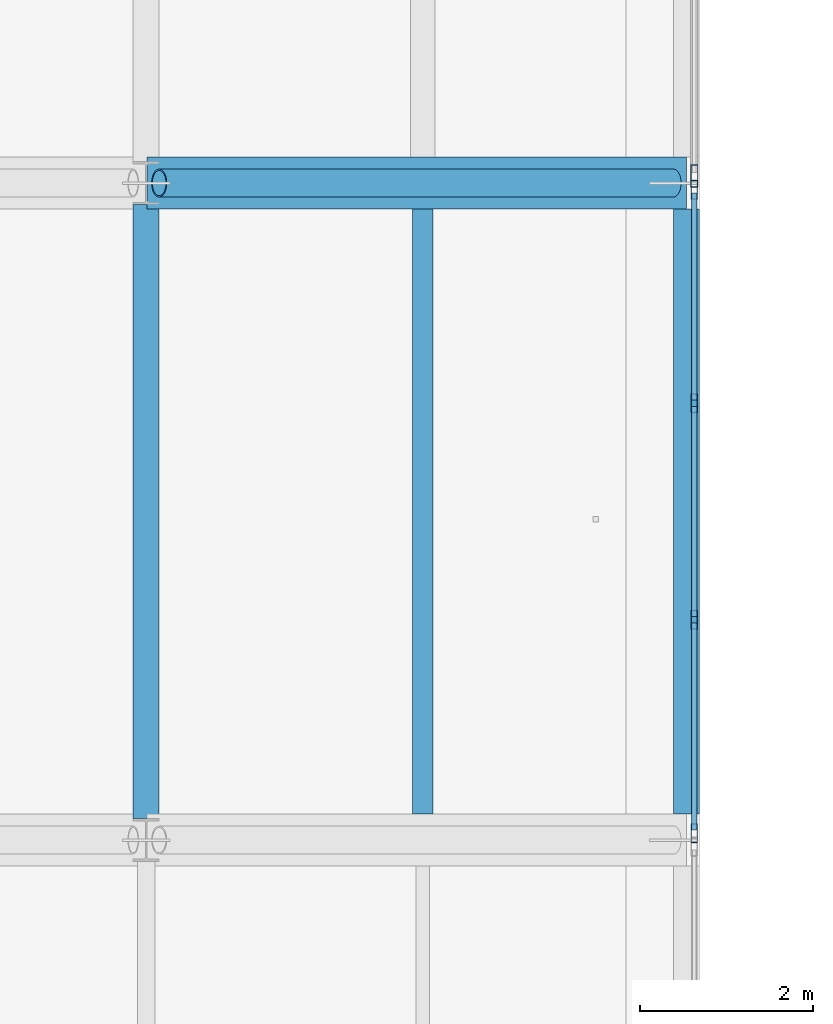
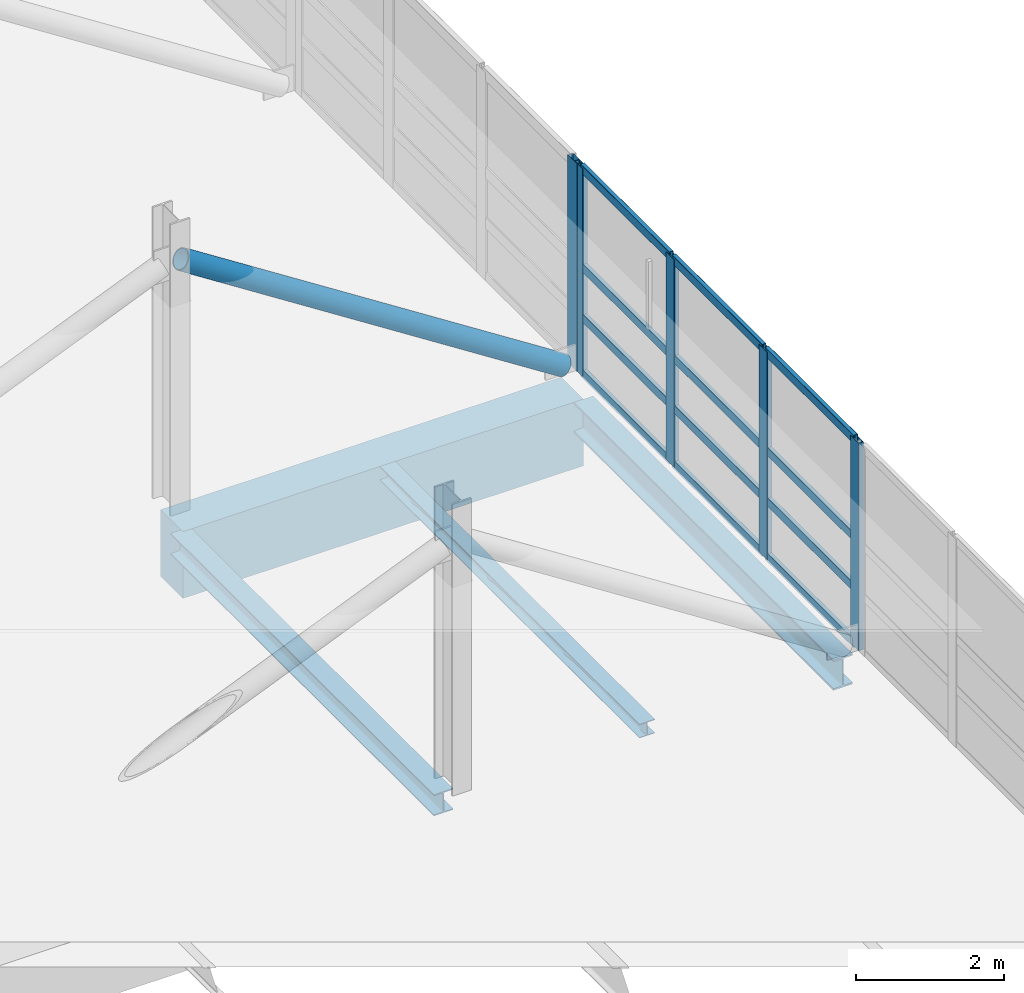
# One storey, part 15 of 107: 18 members, 4 beams, 2 elements without a shape of their own.
"""IFC4 building model written with IfcOpenShell, lengths in metres."""

from ifc_helpers import new_model, si_unit, direction, frame, origin, origin_2d, place, context, subcontext, project, spatial, rectangle, hollow_rectangle, hollow_circle, i_section, extrude, material, material_profile, profile_set, type_object, element, aggregate, save


model = new_model("IFC4")

# Units and contexts
model_context = context("Model", 3, precision=1e-05, world=origin(), true_north=direction((0.0, 1.0)))
body_context = subcontext(model_context, "Body", "Model", "MODEL_VIEW")
ifc_project = project(units=[si_unit("LENGTHUNIT", "METRE"), si_unit("AREAUNIT", "SQUARE_METRE"), si_unit("VOLUMEUNIT", "CUBIC_METRE"), si_unit("PLANEANGLEUNIT", "RADIAN"), si_unit("MASSUNIT", "GRAM", prefix="KILO")], contexts=[model_context])

# Site, building, storey
site_placement = place(None, origin())
site = spatial("IfcSite", under=ifc_project, at=site_placement, CompositionType="ELEMENT")
building_placement = place(site_placement, origin())
building = spatial("IfcBuilding", under=site, at=building_placement, Name="Khelvaren Railside Concert Hall", CompositionType="ELEMENT")
storey_placement = place(building_placement, frame((0.0, 0.0, 15.0)))
storey = spatial("IfcBuildingStorey", under=building, at=storey_placement, Name="L03", CompositionType="ELEMENT", Elevation=15.0)

# Beam
ifc_material_1 = material(Name="Steel S355", Category="steel")
ifc_material_profile_1 = material_profile(ifc_material_1, i_section(OverallWidth=0.300048828125, OverallDepth=0.35009765625, WebThickness=0.010009765625, FlangeThickness=0.017578125, FilletRadius=0.027099609375, at=origin_2d()), Name="HEA 360")
ifc_profile_set_1 = profile_set([ifc_material_profile_1], Name="Steel S355")
beam_type_1 = type_object("IfcBeamType", Name="BM73", PredefinedType="BEAM", material=ifc_profile_set_1)
beam_1_placement = place(storey_placement, frame((49.60009765625, 23.050048828125, -0.455078125), z_axis=(0.0, 1.0, 0.0), x_axis=(-1.0, 0.0, 0.0)))
element("IfcBeam", 1, at=beam_1_placement, inside=storey, type_object=beam_type_1, Name="V1 L03 Beam Y7.4", PredefinedType="BEAM", context=body_context, shape_type="SweptSolid", body=[
    extrude(i_section(OverallWidth=0.300048828125, OverallDepth=0.35009765625, WebThickness=0.010009765625, FlangeThickness=0.017578125, FilletRadius=0.027099609375, at=origin_2d()), origin(), (0.0, 0.0, 1.0), 7.099853515625),
])

# Member
ifc_material_profile_2 = material_profile(ifc_material_1, hollow_circle(Radius=0.161865234375, WallThickness=0.01611328125, at=origin_2d()), Name="CHS 323.9x16")
ifc_profile_set_2 = profile_set([ifc_material_profile_2], Name="Steel S355")
member_type_1 = type_object("IfcMemberType", Name="BR78", PredefinedType="BRACE", material=ifc_profile_set_2)
member_1_placement = place(storey_placement, frame((49.75, 30.39990234375, 3.97998046875), z_axis=(0.840849865516, 0.0, -0.541268421083), x_axis=(0.0, 1.0, 0.0)))
element("IfcMember", 2, at=member_1_placement, inside=storey, type_object=member_type_1, Name="V1 L03 Plaza Cantilever Truss Diagonal 5A", PredefinedType="BRACE", context=body_context, shape_type="SweptSolid", body=[
    extrude(hollow_circle(Radius=0.161865234375, WallThickness=0.01611328125, at=origin_2d()), origin(), (0.0, 0.0, 1.0), 7.076171875),
])

# Curtain wall, members
ifc_material_2 = material(Name="Double-glazed clear foyer glass", Category="glass")
curtain_wall_type_1 = type_object("IfcCurtainWallType", Name="CW70", PredefinedType="USERDEFINED", material=ifc_material_2)
curtain_wall_1_placement = place(storey_placement, origin())
curtain_wall_1 = element("IfcCurtainWall", 3, at=curtain_wall_1_placement, inside=storey, type_object=curtain_wall_type_1, Name="Unitised Curtain Wall CW-V1-L03-E-23", ObjectType="UNITISED CURTAIN WALL", PredefinedType="USERDEFINED")
ifc_material_3 = material(Name="Anodised architectural aluminium 6063-T6", Category="aluminium")
ifc_material_profile_3 = material_profile(ifc_material_3, hollow_rectangle(XDim=0.074951171875, YDim=0.219970703125, WallThickness=0.0048828125, InnerFilletRadius=0.0029296875, OuterFilletRadius=0.0048828125, at=origin_2d()), Name="CWM 75x220x5")
ifc_profile_set_3 = profile_set([ifc_material_profile_3], Name="Anodised architectural aluminium 6063-T6")
member_type_2 = type_object("IfcMemberType", Name="CWM13", PredefinedType="MULLION", material=ifc_profile_set_3)
member_2_placement = place(storey_placement, frame((55.93994140625, 30.322509765625, 0.0), z_axis=(0.0, 0.0, 1.0), x_axis=(1.0, 0.0, 0.0)))
member_2 = element("IfcMember", 4, at=member_2_placement, type_object=member_type_2, Name="CW70 mullion 1", PredefinedType="MULLION", context=body_context, shape_type="SweptSolid", body=[
    extrude(hollow_rectangle(XDim=0.074951171875, YDim=0.219970703125, WallThickness=0.0048828125, InnerFilletRadius=0.0029296875, OuterFilletRadius=0.0048828125, at=origin_2d()), origin(), (0.0, 0.0, 1.0), 3.419921875),
])
member_3_placement = place(storey_placement, frame((55.93994140625, 27.853271484375, 0.0), z_axis=(0.0, 0.0, 1.0), x_axis=(1.0, 0.0, 0.0)))
member_3 = element("IfcMember", 5, at=member_3_placement, type_object=member_type_2, Name="CW70 mullion 2", PredefinedType="MULLION", context=body_context, shape_type="SweptSolid", body=[
    extrude(hollow_rectangle(XDim=0.074951171875, YDim=0.219970703125, WallThickness=0.0048828125, InnerFilletRadius=0.0029296875, OuterFilletRadius=0.0048828125, at=origin_2d()), origin(), (0.0, 0.0, 1.0), 3.419921875),
])
member_4_placement = place(storey_placement, frame((55.93994140625, 25.3466796875, 0.0), z_axis=(0.0, 0.0, 1.0), x_axis=(1.0, 0.0, 0.0)))
member_4 = element("IfcMember", 6, at=member_4_placement, type_object=member_type_2, Name="CW70 mullion 3", PredefinedType="MULLION", context=body_context, shape_type="SweptSolid", body=[
    extrude(hollow_rectangle(XDim=0.074951171875, YDim=0.219970703125, WallThickness=0.0048828125, InnerFilletRadius=0.0029296875, OuterFilletRadius=0.0048828125, at=origin_2d()), origin(), (0.0, 0.0, 1.0), 3.419921875),
])
member_5_placement = place(storey_placement, frame((55.93994140625, 22.87744140625, 0.0), z_axis=(0.0, 0.0, 1.0), x_axis=(1.0, 0.0, 0.0)))
member_5 = element("IfcMember", 7, at=member_5_placement, type_object=member_type_2, Name="CW70 mullion 4", PredefinedType="MULLION", context=body_context, shape_type="SweptSolid", body=[
    extrude(hollow_rectangle(XDim=0.074951171875, YDim=0.219970703125, WallThickness=0.0048828125, InnerFilletRadius=0.0029296875, OuterFilletRadius=0.0048828125, at=origin_2d()), origin(), (0.0, 0.0, 1.0), 3.419921875),
])

# Curtain wall, member
ifc_material_4 = material(Name="Acoustic laminated crystal facade glass", Category="glass")
curtain_wall_type_2 = type_object("IfcCurtainWallType", Name="CW21", PredefinedType="USERDEFINED", material=ifc_material_4)
curtain_wall_2_placement = place(storey_placement, origin())
curtain_wall_2 = element("IfcCurtainWall", 8, at=curtain_wall_2_placement, inside=storey, type_object=curtain_wall_type_2, Name="Unitised Curtain Wall CW-V1-L03-E-30", ObjectType="UNITISED CURTAIN WALL", PredefinedType="USERDEFINED")
ifc_material_profile_4 = material_profile(ifc_material_3, hollow_rectangle(XDim=0.0849609375, YDim=0.260009765625, WallThickness=0.0048828125, InnerFilletRadius=0.0029296875, OuterFilletRadius=0.0048828125, at=origin_2d()), Name="CWM 85x260x5")
ifc_profile_set_4 = profile_set([ifc_material_profile_4], Name="Anodised architectural aluminium 6063-T6")
member_type_3 = type_object("IfcMemberType", Name="CWM40", PredefinedType="MULLION", material=ifc_profile_set_4)
member_6_placement = place(storey_placement, frame((55.93994140625, 30.482421875, 0.0), z_axis=(0.0, 0.0, 1.0), x_axis=(1.0, 0.0, 0.0)))
member_6 = element("IfcMember", 9, at=member_6_placement, type_object=member_type_3, Name="CW21 mullion 4", PredefinedType="MULLION", context=body_context, shape_type="SweptSolid", body=[
    extrude(hollow_rectangle(XDim=0.0849609375, YDim=0.260009765625, WallThickness=0.0048828125, InnerFilletRadius=0.0029296875, OuterFilletRadius=0.0048828125, at=origin_2d()), origin(), (0.0, 0.0, 1.0), 3.419921875),
])
aggregate(curtain_wall_2, [member_6])

# Member
ifc_material_profile_5 = material_profile(ifc_material_3, hollow_rectangle(XDim=0.06494140625, YDim=0.139892578125, WallThickness=0.00390625, InnerFilletRadius=0.001953125, OuterFilletRadius=0.00390625, at=origin_2d()), Name="CWT 65x140x4")
ifc_profile_set_5 = profile_set([ifc_material_profile_5], Name="Anodised architectural aluminium 6063-T6")
member_type_4 = type_object("IfcMemberType", Name="CWT72", PredefinedType="USERDEFINED", material=ifc_profile_set_5)
member_7_placement = place(storey_placement, frame((55.93994140625, 30.284912109375, 0.032470703125), z_axis=(0.0, -1.0, 0.0), x_axis=(1.0, 0.0, 0.0)))
member_7 = element("IfcMember", 10, at=member_7_placement, type_object=member_type_4, Name="CW70 transom 1.1", ObjectType="TRANSOM", PredefinedType="USERDEFINED", context=body_context, shape_type="SweptSolid", body=[
    extrude(hollow_rectangle(XDim=0.06494140625, YDim=0.139892578125, WallThickness=0.00390625, InnerFilletRadius=0.001953125, OuterFilletRadius=0.00390625, at=origin_2d()), origin(), (0.0, 0.0, 1.0), 2.39404296875),
])

member_8_placement = place(storey_placement, frame((55.93994140625, 30.284912109375, 0.949951171875), z_axis=(0.0, -1.0, 0.0), x_axis=(1.0, 0.0, 0.0)))
member_8 = element("IfcMember", 11, at=member_8_placement, type_object=member_type_4, Name="CW70 transom 1.2", ObjectType="TRANSOM", PredefinedType="USERDEFINED", context=body_context, shape_type="SweptSolid", body=[
    extrude(hollow_rectangle(XDim=0.06494140625, YDim=0.139892578125, WallThickness=0.00390625, InnerFilletRadius=0.001953125, OuterFilletRadius=0.00390625, at=origin_2d()), origin(), (0.0, 0.0, 1.0), 2.39404296875),
])

member_9_placement = place(storey_placement, frame((55.93994140625, 30.284912109375, 1.7783203125), z_axis=(0.0, -1.0, 0.0), x_axis=(1.0, 0.0, 0.0)))
member_9 = element("IfcMember", 12, at=member_9_placement, type_object=member_type_4, Name="CW70 transom 1.3", ObjectType="TRANSOM", PredefinedType="USERDEFINED", context=body_context, shape_type="SweptSolid", body=[
    extrude(hollow_rectangle(XDim=0.06494140625, YDim=0.139892578125, WallThickness=0.00390625, InnerFilletRadius=0.001953125, OuterFilletRadius=0.00390625, at=origin_2d()), origin(), (0.0, 0.0, 1.0), 2.39404296875),
])

member_10_placement = place(storey_placement, frame((55.93994140625, 30.284912109375, 3.387451171875), z_axis=(0.0, -1.0, 0.0), x_axis=(1.0, 0.0, 0.0)))
member_10 = element("IfcMember", 13, at=member_10_placement, type_object=member_type_4, Name="CW70 transom 1.4", ObjectType="TRANSOM", PredefinedType="USERDEFINED", context=body_context, shape_type="SweptSolid", body=[
    extrude(hollow_rectangle(XDim=0.06494140625, YDim=0.139892578125, WallThickness=0.00390625, InnerFilletRadius=0.001953125, OuterFilletRadius=0.00390625, at=origin_2d()), origin(), (0.0, 0.0, 1.0), 2.39404296875),
])

member_11_placement = place(storey_placement, frame((55.93994140625, 27.81591796875, 0.032470703125), z_axis=(0.0, -1.0, 0.0), x_axis=(1.0, 0.0, 0.0)))
member_11 = element("IfcMember", 14, at=member_11_placement, type_object=member_type_4, Name="CW70 transom 2.1", ObjectType="TRANSOM", PredefinedType="USERDEFINED", context=body_context, shape_type="SweptSolid", body=[
    extrude(hollow_rectangle(XDim=0.06494140625, YDim=0.139892578125, WallThickness=0.00390625, InnerFilletRadius=0.001953125, OuterFilletRadius=0.00390625, at=origin_2d()), origin(), (0.0, 0.0, 1.0), 2.431640625),
])

member_12_placement = place(storey_placement, frame((55.93994140625, 27.81591796875, 0.949951171875), z_axis=(0.0, -1.0, 0.0), x_axis=(1.0, 0.0, 0.0)))
member_12 = element("IfcMember", 15, at=member_12_placement, type_object=member_type_4, Name="CW70 transom 2.2", ObjectType="TRANSOM", PredefinedType="USERDEFINED", context=body_context, shape_type="SweptSolid", body=[
    extrude(hollow_rectangle(XDim=0.06494140625, YDim=0.139892578125, WallThickness=0.00390625, InnerFilletRadius=0.001953125, OuterFilletRadius=0.00390625, at=origin_2d()), origin(), (0.0, 0.0, 1.0), 2.431640625),
])

member_13_placement = place(storey_placement, frame((55.93994140625, 27.81591796875, 1.7783203125), z_axis=(0.0, -1.0, 0.0), x_axis=(1.0, 0.0, 0.0)))
member_13 = element("IfcMember", 16, at=member_13_placement, type_object=member_type_4, Name="CW70 transom 2.3", ObjectType="TRANSOM", PredefinedType="USERDEFINED", context=body_context, shape_type="SweptSolid", body=[
    extrude(hollow_rectangle(XDim=0.06494140625, YDim=0.139892578125, WallThickness=0.00390625, InnerFilletRadius=0.001953125, OuterFilletRadius=0.00390625, at=origin_2d()), origin(), (0.0, 0.0, 1.0), 2.431640625),
])

member_14_placement = place(storey_placement, frame((55.93994140625, 27.81591796875, 3.387451171875), z_axis=(0.0, -1.0, 0.0), x_axis=(1.0, 0.0, 0.0)))
member_14 = element("IfcMember", 17, at=member_14_placement, type_object=member_type_4, Name="CW70 transom 2.4", ObjectType="TRANSOM", PredefinedType="USERDEFINED", context=body_context, shape_type="SweptSolid", body=[
    extrude(hollow_rectangle(XDim=0.06494140625, YDim=0.139892578125, WallThickness=0.00390625, InnerFilletRadius=0.001953125, OuterFilletRadius=0.00390625, at=origin_2d()), origin(), (0.0, 0.0, 1.0), 2.431640625),
])

member_15_placement = place(storey_placement, frame((55.93994140625, 25.30908203125, 0.032470703125), z_axis=(0.0, -1.0, 0.0), x_axis=(1.0, 0.0, 0.0)))
member_15 = element("IfcMember", 18, at=member_15_placement, type_object=member_type_4, Name="CW70 transom 3.1", ObjectType="TRANSOM", PredefinedType="USERDEFINED", context=body_context, shape_type="SweptSolid", body=[
    extrude(hollow_rectangle(XDim=0.06494140625, YDim=0.139892578125, WallThickness=0.00390625, InnerFilletRadius=0.001953125, OuterFilletRadius=0.00390625, at=origin_2d()), origin(), (0.0, 0.0, 1.0), 2.39404296875),
])

member_16_placement = place(storey_placement, frame((55.93994140625, 25.30908203125, 0.949951171875), z_axis=(0.0, -1.0, 0.0), x_axis=(1.0, 0.0, 0.0)))
member_16 = element("IfcMember", 19, at=member_16_placement, type_object=member_type_4, Name="CW70 transom 3.2", ObjectType="TRANSOM", PredefinedType="USERDEFINED", context=body_context, shape_type="SweptSolid", body=[
    extrude(hollow_rectangle(XDim=0.06494140625, YDim=0.139892578125, WallThickness=0.00390625, InnerFilletRadius=0.001953125, OuterFilletRadius=0.00390625, at=origin_2d()), origin(), (0.0, 0.0, 1.0), 2.39404296875),
])

member_17_placement = place(storey_placement, frame((55.93994140625, 25.30908203125, 1.7783203125), z_axis=(0.0, -1.0, 0.0), x_axis=(1.0, 0.0, 0.0)))
member_17 = element("IfcMember", 20, at=member_17_placement, type_object=member_type_4, Name="CW70 transom 3.3", ObjectType="TRANSOM", PredefinedType="USERDEFINED", context=body_context, shape_type="SweptSolid", body=[
    extrude(hollow_rectangle(XDim=0.06494140625, YDim=0.139892578125, WallThickness=0.00390625, InnerFilletRadius=0.001953125, OuterFilletRadius=0.00390625, at=origin_2d()), origin(), (0.0, 0.0, 1.0), 2.39404296875),
])

member_18_placement = place(storey_placement, frame((55.93994140625, 25.30908203125, 3.387451171875), z_axis=(0.0, -1.0, 0.0), x_axis=(1.0, 0.0, 0.0)))
member_18 = element("IfcMember", 21, at=member_18_placement, type_object=member_type_4, Name="CW70 transom 3.4", ObjectType="TRANSOM", PredefinedType="USERDEFINED", context=body_context, shape_type="SweptSolid", body=[
    extrude(hollow_rectangle(XDim=0.06494140625, YDim=0.139892578125, WallThickness=0.00390625, InnerFilletRadius=0.001953125, OuterFilletRadius=0.00390625, at=origin_2d()), origin(), (0.0, 0.0, 1.0), 2.39404296875),
])

aggregate(curtain_wall_1, [member_2, member_3, member_4, member_5, member_7, member_8, member_9, member_10, member_11, member_12, member_13, member_14, member_15, member_16, member_17, member_18])

# Beams
ifc_material_5 = material(Name="Concrete C40/50", Category="concrete")
ifc_material_profile_6 = material_profile(ifc_material_5, rectangle(XDim=0.60009765625, YDim=1.10009765625, at=origin_2d()), Name="RCB 600x1100")
ifc_profile_set_6 = profile_set([ifc_material_profile_6], Name="Concrete C40/50")
beam_type_2 = type_object("IfcBeamType", Name="GR15", PredefinedType="T_BEAM", material=ifc_profile_set_6)
beam_2_placement = place(storey_placement, frame((49.610107421875, 30.39990234375, -0.830078125), z_axis=(1.0, 0.0, 0.0), x_axis=(0.0, 1.0, 0.0)))
element("IfcBeam", 22, at=beam_2_placement, inside=storey, type_object=beam_type_2, Name="V1 L03 Arrival Cantilever Girder 5", PredefinedType="T_BEAM", context=body_context, shape_type="SweptSolid", body=[
    extrude(rectangle(XDim=0.60009765625, YDim=1.10009765625, at=origin_2d()), origin(), (0.0, 0.0, 1.0), 6.239990234375),
])
ifc_material_profile_7 = material_profile(ifc_material_1, i_section(OverallWidth=0.239990234375, OverallDepth=0.22998046875, WebThickness=0.007568359375, FlangeThickness=0.011962890625, FilletRadius=0.02099609375, at=origin_2d()), Name="HEA 240")
ifc_profile_set_7 = profile_set([ifc_material_profile_7], Name="Steel S355")
beam_type_3 = type_object("IfcBeamType", Name="JS76", PredefinedType="JOIST", material=ifc_profile_set_7)
beam_3_placement = place(storey_placement, frame((52.800048828125, 23.10009765625, -0.39501953125), z_axis=(0.0, 1.0, 0.0), x_axis=(-1.0, 0.0, 0.0)))
element("IfcBeam", 23, at=beam_3_placement, inside=storey, type_object=beam_type_3, Name="V1 L03 Secondary Joist 7.4", PredefinedType="JOIST", context=body_context, shape_type="SweptSolid", body=[
    extrude(i_section(OverallWidth=0.239990234375, OverallDepth=0.22998046875, WebThickness=0.007568359375, FlangeThickness=0.011962890625, FilletRadius=0.02099609375, at=origin_2d()), origin(), (0.0, 0.0, 1.0), 7.0),
])
ifc_material_profile_8 = material_profile(ifc_material_1, i_section(OverallWidth=0.300048828125, OverallDepth=0.5, WebThickness=0.014404296875, FlangeThickness=0.028076171875, FilletRadius=0.027099609375, at=origin_2d()), Name="HEB 500")
ifc_profile_set_8 = profile_set([ifc_material_profile_8], Name="Steel S355")
beam_type_4 = type_object("IfcBeamType", Name="SP12", PredefinedType="SPANDREL", material=ifc_profile_set_8)
beam_4_placement = place(storey_placement, frame((55.85009765625, 23.10009765625, -0.530029296875), z_axis=(0.0, 1.0, 0.0), x_axis=(-1.0, 0.0, 0.0)))
element("IfcBeam", 24, at=beam_4_placement, inside=storey, type_object=beam_type_4, Name="V1 L03 Cantilever Tip Spandrel Y4", PredefinedType="SPANDREL", context=body_context, shape_type="SweptSolid", body=[
    extrude(i_section(OverallWidth=0.300048828125, OverallDepth=0.5, WebThickness=0.014404296875, FlangeThickness=0.028076171875, FilletRadius=0.027099609375, at=origin_2d()), origin(), (0.0, 0.0, 1.0), 7.0),
])

save(model, "model.ifc")
